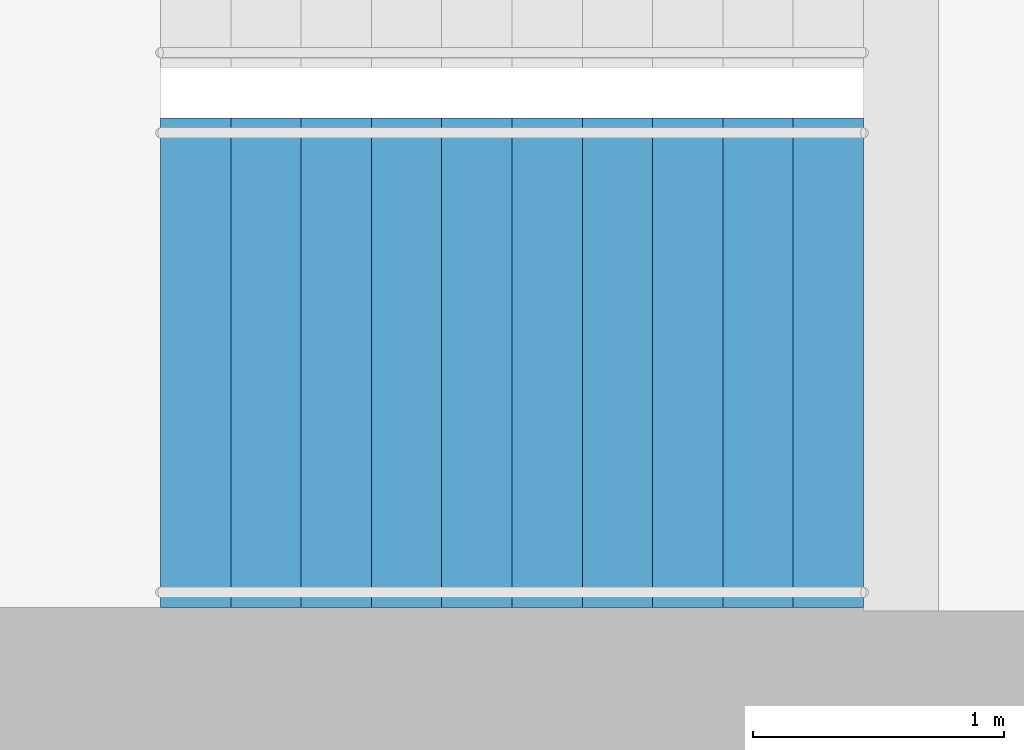
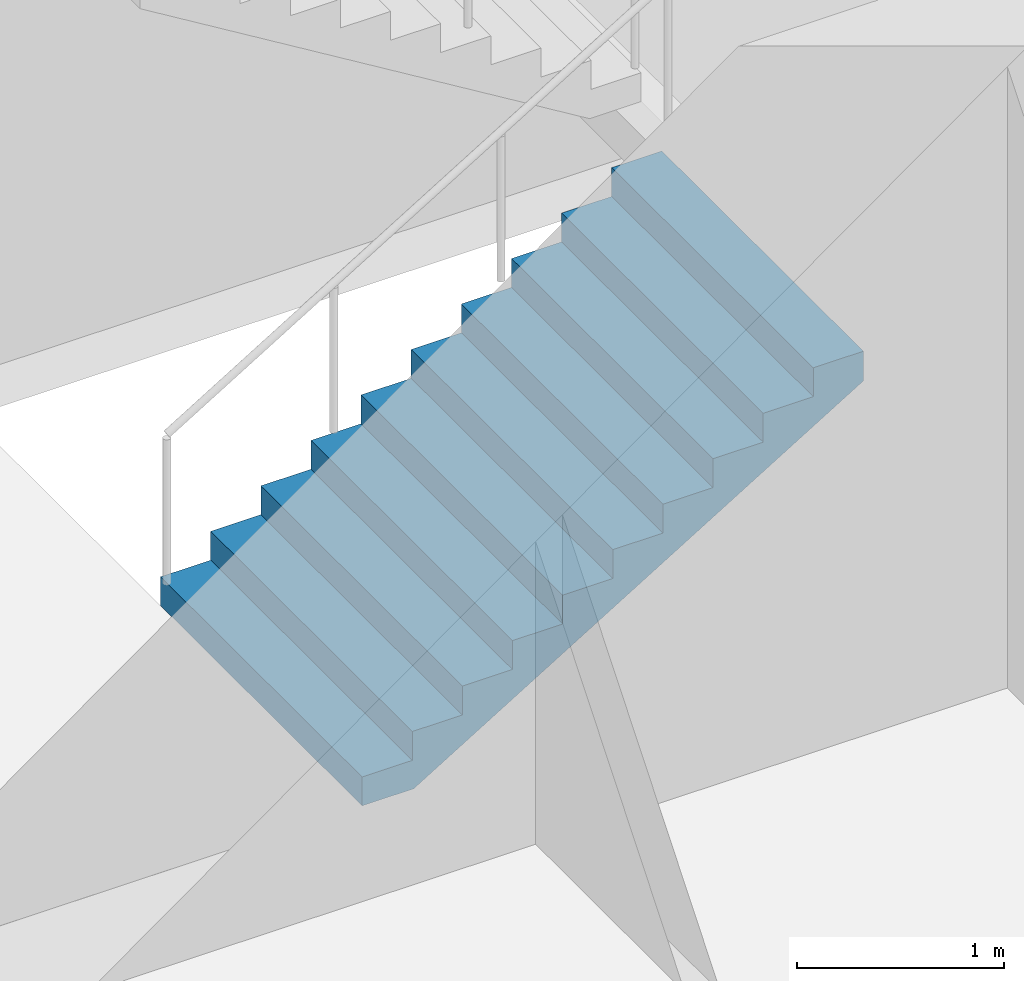
# One storey, part 19 of 23: 1 stair flight, 1 element without a shape of its own.
"""IFC4 building model written with IfcOpenShell, lengths in metres."""

from ifc_helpers import new_model, si_unit, direction, frame, origin, place, context, subcontext, project, spatial, triangles, material, type_object, element, aggregate, save


model = new_model("IFC4")

# Units and contexts
model_context = context("Model", 3, precision=1e-05, world=origin(), true_north=direction((0.0, 1.0)))
body_context = subcontext(model_context, "Body", "Model", "MODEL_VIEW")
ifc_project = project(units=[si_unit("LENGTHUNIT", "METRE"), si_unit("AREAUNIT", "SQUARE_METRE"), si_unit("VOLUMEUNIT", "CUBIC_METRE"), si_unit("PLANEANGLEUNIT", "RADIAN"), si_unit("MASSUNIT", "GRAM", prefix="KILO")], contexts=[model_context])

# Site, building, storey
site_placement = place(None, origin())
site = spatial("IfcSite", under=ifc_project, at=site_placement, CompositionType="ELEMENT")
building_placement = place(site_placement, origin())
building = spatial("IfcBuilding", under=site, at=building_placement, Name="Orbita Commons", CompositionType="ELEMENT")
storey_placement = place(building_placement, frame((0.0, 0.0, 220.300048828125)))
storey = spatial("IfcBuildingStorey", under=building, at=storey_placement, Name="L54", CompositionType="ELEMENT", Elevation=220.300048828125)

# Stair, stair flight
ifc_material_1 = material(Name="Precast concrete C40/50", Category="concrete")
stair_type = type_object("IfcStairType", Name="Exit stair S1 2 flights 11 risers 170", PredefinedType="HALF_TURN_STAIR", material=ifc_material_1)
stair_placement = place(storey_placement, origin())
stair = element("IfcStair", 1, at=stair_placement, inside=storey, type_object=stair_type, Name="Exit stair S1 L54", PredefinedType="HALF_TURN_STAIR")
ifc_material_2 = material(Name="Precast concrete C40/50", Category="concrete")
stair_flight_type = type_object("IfcStairFlightType", Name="Stair flight 11 risers 170 x 280", PredefinedType="STRAIGHT", material=ifc_material_2)
stair_flight_placement = place(storey_placement, frame((20.449951171875, 27.125, 0.0), z_axis=(0.0, 0.0, 1.0), x_axis=(1.0, 0.0, 0.0)))
stair_flight = element("IfcStairFlight", 2, at=stair_flight_placement, type_object=stair_flight_type, Name="S1 flight 1", NumberOfRisers=11, NumberOfTreads=10, PredefinedType="STRAIGHT", RiserHeight=0.170454545, TreadLength=0.28, context=body_context, shape_type="Tessellation", body=[
    triangles([(0.0, 0.974976, 0.0), (0.0, 0.974976, 0.021307), (0.0, 0.81248, 0.021307), (0.0, 0.81248, 0.0), (0.0, 0.649984, 0.021307), (0.0, 0.649984, 0.0), (0.0, 0.487488, 0.021307), (0.0, 0.487488, 0.0), (0.0, 0.324992, 0.021307), (0.0, 0.324992, 0.0), (0.0, 0.162496, 0.021307), (0.0, 0.162496, 0.0), (0.0, 0.0, 0.021307), (0.0, 0.0, 0.0), (0.0, -0.162496, 0.021307), (0.0, -0.162496, 0.0), (0.0, -0.324992, 0.021307), (0.0, -0.324992, 0.0), (0.0, -0.487488, 0.021307), (0.0, -0.487488, 0.0), (0.0, -0.649984, 0.021307), (0.0, -0.649984, 0.0), (0.0, -0.81248, 0.021307), (0.0, -0.81248, 0.0), (0.0, -0.974976, 0.021307), (0.0, -0.974976, 0.0), (0.0, 0.974976, 0.042614), (0.0, 0.81248, 0.042614), (0.0, 0.649984, 0.042614), (0.0, 0.487488, 0.042614), (0.0, 0.324992, 0.042614), (0.0, 0.162496, 0.042614), (0.0, 0.0, 0.042614), (0.0, -0.162496, 0.042614), (0.0, -0.324992, 0.042614), (0.0, -0.487488, 0.042614), (0.0, -0.649984, 0.042614), (0.0, -0.81248, 0.042614), (0.0, -0.974976, 0.042614), (0.0, 0.974976, 0.06392), (0.0, 0.81248, 0.06392), (0.0, 0.649984, 0.06392), (0.0, 0.487488, 0.06392), (0.0, 0.324992, 0.06392), (0.0, 0.162496, 0.06392), (0.0, 0.0, 0.06392), (0.0, -0.162496, 0.06392), (0.0, -0.324992, 0.06392), (0.0, -0.487488, 0.06392), (0.0, -0.649984, 0.06392), (0.0, -0.81248, 0.06392), (0.0, -0.974976, 0.06392), (0.0, 0.974976, 0.085227), (0.0, 0.81248, 0.085227), (0.0, 0.649984, 0.085227), (0.0, 0.487488, 0.085227), (0.0, 0.324992, 0.085227), (0.0, 0.162496, 0.085227), (0.0, 0.0, 0.085227), (0.0, -0.162496, 0.085227), (0.0, -0.324992, 0.085227), (0.0, -0.487488, 0.085227), (0.0, -0.649984, 0.085227), (0.0, -0.81248, 0.085227), (0.0, -0.974976, 0.085227), (0.0, 0.974976, 0.106534), (0.0, 0.81248, 0.106534), (0.0, 0.649984, 0.106534), (0.0, 0.487488, 0.106534), (0.0, 0.324992, 0.106534), (0.0, 0.162496, 0.106534), (0.0, 0.0, 0.106534), (0.0, -0.162496, 0.106534), (0.0, -0.324992, 0.106534), (0.0, -0.487488, 0.106534), (0.0, -0.649984, 0.106534), (0.0, -0.81248, 0.106534), (0.0, -0.974976, 0.106534), (0.0, 0.974976, 0.127841), (0.0, 0.81248, 0.127841), (0.0, 0.649984, 0.127841), (0.0, 0.487488, 0.127841), (0.0, 0.324992, 0.127841), (0.0, 0.162496, 0.127841), (0.0, 0.0, 0.127841), (0.0, -0.162496, 0.127841), (0.0, -0.324992, 0.127841), (0.0, -0.487488, 0.127841), (0.0, -0.649984, 0.127841), (0.0, -0.81248, 0.127841), (0.0, -0.974976, 0.127841), (0.0, 0.974976, 0.149148), (0.0, 0.81248, 0.149148), (0.0, 0.649984, 0.149148), (0.0, 0.487488, 0.149148), (0.0, 0.324992, 0.149148), (0.0, 0.162496, 0.149148), (0.0, 0.0, 0.149148), (0.0, -0.162496, 0.149148), (0.0, -0.324992, 0.149148), (0.0, -0.487488, 0.149148), (0.0, -0.649984, 0.149148), (0.0, -0.81248, 0.149148), (0.0, -0.974976, 0.149148), (0.0, 0.974976, 0.170455), (0.0, 0.81248, 0.170455), (0.0, 0.649984, 0.170455), (0.0, 0.487488, 0.170455), (0.0, 0.324992, 0.170455), (0.0, 0.162496, 0.170455), (0.0, 0.0, 0.170455), (0.0, -0.162496, 0.170455), (0.0, -0.324992, 0.170455), (0.0, -0.487488, 0.170455), (0.0, -0.649984, 0.170455), (0.0, -0.81248, 0.170455), (0.0, -0.974976, 0.170455), (0.28, 0.974976, 0.170455), (0.28, 0.81248, 0.170455), (0.28, 0.649984, 0.170455), (0.28, 0.487488, 0.170455), (0.28, 0.324992, 0.170455), (0.28, 0.162496, 0.170455), (0.28, 0.0, 0.170455), (0.28, -0.162496, 0.170455), (0.28, -0.324992, 0.170455), (0.28, -0.487488, 0.170455), (0.28, -0.649984, 0.170455), (0.28, -0.81248, 0.170455), (0.28, -0.974976, 0.170455), (0.28, 0.974976, 0.340909), (0.28, 0.81248, 0.340909), (0.28, 0.649984, 0.340909), (0.28, 0.487488, 0.340909), (0.28, 0.324992, 0.340909), (0.28, 0.162496, 0.340909), (0.28, 0.0, 0.340909), (0.28, -0.162496, 0.340909), (0.28, -0.324992, 0.340909), (0.28, -0.487488, 0.340909), (0.28, -0.649984, 0.340909), (0.28, -0.81248, 0.340909), (0.28, -0.974976, 0.340909), (0.56, 0.974976, 0.340909), (0.56, 0.81248, 0.340909), (0.56, 0.649984, 0.340909), (0.56, 0.487488, 0.340909), (0.56, 0.324992, 0.340909), (0.56, 0.162496, 0.340909), (0.56, 0.0, 0.340909), (0.56, -0.162496, 0.340909), (0.56, -0.324992, 0.340909), (0.56, -0.487488, 0.340909), (0.56, -0.649984, 0.340909), (0.56, -0.81248, 0.340909), (0.56, -0.974976, 0.340909), (0.56, 0.974976, 0.511364), (0.56, 0.81248, 0.511364), (0.56, 0.649984, 0.511364), (0.56, 0.487488, 0.511364), (0.56, 0.324992, 0.511364), (0.56, 0.162496, 0.511364), (0.56, 0.0, 0.511364), (0.56, -0.162496, 0.511364), (0.56, -0.324992, 0.511364), (0.56, -0.487488, 0.511364), (0.56, -0.649984, 0.511364), (0.56, -0.81248, 0.511364), (0.56, -0.974976, 0.511364), (0.84, 0.974976, 0.511364), (0.84, 0.81248, 0.511364), (0.84, 0.649984, 0.511364), (0.84, 0.487488, 0.511364), (0.84, 0.324992, 0.511364), (0.84, 0.162496, 0.511364), (0.84, 0.0, 0.511364), (0.84, -0.162496, 0.511364), (0.84, -0.324992, 0.511364), (0.84, -0.487488, 0.511364), (0.84, -0.649984, 0.511364), (0.84, -0.81248, 0.511364), (0.84, -0.974976, 0.511364), (0.84, 0.974976, 0.681818), (0.84, 0.81248, 0.681818), (0.84, 0.649984, 0.681818), (0.84, 0.487488, 0.681818), (0.84, 0.324992, 0.681818), (0.84, 0.162496, 0.681818), (0.84, 0.0, 0.681818), (0.84, -0.162496, 0.681818), (0.84, -0.324992, 0.681818), (0.84, -0.487488, 0.681818), (0.84, -0.649984, 0.681818), (0.84, -0.81248, 0.681818), (0.84, -0.974976, 0.681818), (1.12, 0.974976, 0.681818), (1.12, 0.81248, 0.681818), (1.12, 0.649984, 0.681818), (1.12, 0.487488, 0.681818), (1.12, 0.324992, 0.681818), (1.12, 0.162496, 0.681818), (1.12, 0.0, 0.681818), (1.12, -0.162496, 0.681818), (1.12, -0.324992, 0.681818), (1.12, -0.487488, 0.681818), (1.12, -0.649984, 0.681818), (1.12, -0.81248, 0.681818), (1.12, -0.974976, 0.681818), (1.12, 0.974976, 0.852273), (1.12, 0.81248, 0.852273), (1.12, 0.649984, 0.852273), (1.12, 0.487488, 0.852273), (1.12, 0.324992, 0.852273), (1.12, 0.162496, 0.852273), (1.12, 0.0, 0.852273), (1.12, -0.162496, 0.852273), (1.12, -0.324992, 0.852273), (1.12, -0.487488, 0.852273), (1.12, -0.649984, 0.852273), (1.12, -0.81248, 0.852273), (1.12, -0.974976, 0.852273), (1.4, 0.974976, 0.852273), (1.4, 0.81248, 0.852273), (1.4, 0.649984, 0.852273), (1.4, 0.487488, 0.852273), (1.4, 0.324992, 0.852273), (1.4, 0.162496, 0.852273), (1.4, 0.0, 0.852273), (1.4, -0.162496, 0.852273), (1.4, -0.324992, 0.852273), (1.4, -0.487488, 0.852273), (1.4, -0.649984, 0.852273), (1.4, -0.81248, 0.852273), (1.4, -0.974976, 0.852273), (1.4, 0.974976, 1.022727), (1.4, 0.81248, 1.022727), (1.4, 0.649984, 1.022727), (1.4, 0.487488, 1.022727), (1.4, 0.324992, 1.022727), (1.4, 0.162496, 1.022727), (1.4, 0.0, 1.022727), (1.4, -0.162496, 1.022727), (1.4, -0.324992, 1.022727), (1.4, -0.487488, 1.022727), (1.4, -0.649984, 1.022727), (1.4, -0.81248, 1.022727), (1.4, -0.974976, 1.022727), (1.68, 0.974976, 1.022727), (1.68, 0.81248, 1.022727), (1.68, 0.649984, 1.022727), (1.68, 0.487488, 1.022727), (1.68, 0.324992, 1.022727), (1.68, 0.162496, 1.022727), (1.68, 0.0, 1.022727), (1.68, -0.162496, 1.022727), (1.68, -0.324992, 1.022727), (1.68, -0.487488, 1.022727), (1.68, -0.649984, 1.022727), (1.68, -0.81248, 1.022727), (1.68, -0.974976, 1.022727), (1.68, 0.974976, 1.193182), (1.68, 0.81248, 1.193182), (1.68, 0.649984, 1.193182), (1.68, 0.487488, 1.193182), (1.68, 0.324992, 1.193182), (1.68, 0.162496, 1.193182), (1.68, 0.0, 1.193182), (1.68, -0.162496, 1.193182), (1.68, -0.324992, 1.193182), (1.68, -0.487488, 1.193182), (1.68, -0.649984, 1.193182), (1.68, -0.81248, 1.193182), (1.68, -0.974976, 1.193182), (1.96, 0.974976, 1.193182), (1.96, 0.81248, 1.193182), (1.96, 0.649984, 1.193182), (1.96, 0.487488, 1.193182), (1.96, 0.324992, 1.193182), (1.96, 0.162496, 1.193182), (1.96, 0.0, 1.193182), (1.96, -0.162496, 1.193182), (1.96, -0.324992, 1.193182), (1.96, -0.487488, 1.193182), (1.96, -0.649984, 1.193182), (1.96, -0.81248, 1.193182), (1.96, -0.974976, 1.193182), (1.96, 0.974976, 1.363636), (1.96, 0.81248, 1.363636), (1.96, 0.649984, 1.363636), (1.96, 0.487488, 1.363636), (1.96, 0.324992, 1.363636), (1.96, 0.162496, 1.363636), (1.96, 0.0, 1.363636), (1.96, -0.162496, 1.363636), (1.96, -0.324992, 1.363636), (1.96, -0.487488, 1.363636), (1.96, -0.649984, 1.363636), (1.96, -0.81248, 1.363636), (1.96, -0.974976, 1.363636), (2.24, 0.974976, 1.363636), (2.24, 0.81248, 1.363636), (2.24, 0.649984, 1.363636), (2.24, 0.487488, 1.363636), (2.24, 0.324992, 1.363636), (2.24, 0.162496, 1.363636), (2.24, 0.0, 1.363636), (2.24, -0.162496, 1.363636), (2.24, -0.324992, 1.363636), (2.24, -0.487488, 1.363636), (2.24, -0.649984, 1.363636), (2.24, -0.81248, 1.363636), (2.24, -0.974976, 1.363636), (2.24, 0.974976, 1.534091), (2.24, 0.81248, 1.534091), (2.24, 0.649984, 1.534091), (2.24, 0.487488, 1.534091), (2.24, 0.324992, 1.534091), (2.24, 0.162496, 1.534091), (2.24, 0.0, 1.534091), (2.24, -0.162496, 1.534091), (2.24, -0.324992, 1.534091), (2.24, -0.487488, 1.534091), (2.24, -0.649984, 1.534091), (2.24, -0.81248, 1.534091), (2.24, -0.974976, 1.534091), (2.52, 0.974976, 1.534091), (2.52, 0.81248, 1.534091), (2.52, 0.649984, 1.534091), (2.52, 0.487488, 1.534091), (2.52, 0.324992, 1.534091), (2.52, 0.162496, 1.534091), (2.52, 0.0, 1.534091), (2.52, -0.162496, 1.534091), (2.52, -0.324992, 1.534091), (2.52, -0.487488, 1.534091), (2.52, -0.649984, 1.534091), (2.52, -0.81248, 1.534091), (2.52, -0.974976, 1.534091), (2.52, 0.974976, 1.704545), (2.52, 0.81248, 1.704545), (2.52, 0.649984, 1.704545), (2.52, 0.487488, 1.704545), (2.52, 0.324992, 1.704545), (2.52, 0.162496, 1.704545), (2.52, 0.0, 1.704545), (2.52, -0.162496, 1.704545), (2.52, -0.324992, 1.704545), (2.52, -0.487488, 1.704545), (2.52, -0.649984, 1.704545), (2.52, -0.81248, 1.704545), (2.52, -0.974976, 1.704545), (2.8, 0.974976, 1.704545), (2.8, 0.81248, 1.704545), (2.8, 0.649984, 1.704545), (2.8, 0.487488, 1.704545), (2.8, 0.324992, 1.704545), (2.8, 0.162496, 1.704545), (2.8, 0.0, 1.704545), (2.8, -0.162496, 1.704545), (2.8, -0.324992, 1.704545), (2.8, -0.487488, 1.704545), (2.8, -0.649984, 1.704545), (2.8, -0.81248, 1.704545), (2.8, -0.974976, 1.704545), (2.8, 0.974976, 1.682609), (2.8, 0.81248, 1.682609), (2.8, 0.649984, 1.682609), (2.8, 0.487488, 1.682609), (2.8, 0.324992, 1.682609), (2.8, 0.162496, 1.682609), (2.8, 0.0, 1.682609), (2.8, -0.162496, 1.682609), (2.8, -0.324992, 1.682609), (2.8, -0.487488, 1.682609), (2.8, -0.649984, 1.682609), (2.8, -0.81248, 1.682609), (2.8, -0.974976, 1.682609), (2.8, 0.974976, 1.660672), (2.8, 0.81248, 1.660672), (2.8, 0.649984, 1.660672), (2.8, 0.487488, 1.660672), (2.8, 0.324992, 1.660672), (2.8, 0.162496, 1.660672), (2.8, 0.0, 1.660672), (2.8, -0.162496, 1.660672), (2.8, -0.324992, 1.660672), (2.8, -0.487488, 1.660672), (2.8, -0.649984, 1.660672), (2.8, -0.81248, 1.660672), (2.8, -0.974976, 1.660672), (2.8, 0.974976, 1.638735), (2.8, 0.81248, 1.638735), (2.8, 0.649984, 1.638735), (2.8, 0.487488, 1.638735), (2.8, 0.324992, 1.638735), (2.8, 0.162496, 1.638735), (2.8, 0.0, 1.638735), (2.8, -0.162496, 1.638735), (2.8, -0.324992, 1.638735), (2.8, -0.487488, 1.638735), (2.8, -0.649984, 1.638735), (2.8, -0.81248, 1.638735), (2.8, -0.974976, 1.638735), (2.8, 0.974976, 1.616798), (2.8, 0.81248, 1.616798), (2.8, 0.649984, 1.616798), (2.8, 0.487488, 1.616798), (2.8, 0.324992, 1.616798), (2.8, 0.162496, 1.616798), (2.8, 0.0, 1.616798), (2.8, -0.162496, 1.616798), (2.8, -0.324992, 1.616798), (2.8, -0.487488, 1.616798), (2.8, -0.649984, 1.616798), (2.8, -0.81248, 1.616798), (2.8, -0.974976, 1.616798), (2.8, 0.974976, 1.594861), (2.8, 0.81248, 1.594861), (2.8, 0.649984, 1.594861), (2.8, 0.487488, 1.594861), (2.8, 0.324992, 1.594861), (2.8, 0.162496, 1.594861), (2.8, 0.0, 1.594861), (2.8, -0.162496, 1.594861), (2.8, -0.324992, 1.594861), (2.8, -0.487488, 1.594861), (2.8, -0.649984, 1.594861), (2.8, -0.81248, 1.594861), (2.8, -0.974976, 1.594861), (2.8, 0.974976, 1.572925), (2.8, 0.81248, 1.572925), (2.8, 0.649984, 1.572925), (2.8, 0.487488, 1.572925), (2.8, 0.324992, 1.572925), (2.8, 0.162496, 1.572925), (2.8, 0.0, 1.572925), (2.8, -0.162496, 1.572925), (2.8, -0.324992, 1.572925), (2.8, -0.487488, 1.572925), (2.8, -0.649984, 1.572925), (2.8, -0.81248, 1.572925), (2.8, -0.974976, 1.572925), (2.8, 0.974976, 1.550988), (2.8, 0.81248, 1.550988), (2.8, 0.649984, 1.550988), (2.8, 0.487488, 1.550988), (2.8, 0.324992, 1.550988), (2.8, 0.162496, 1.550988), (2.8, 0.0, 1.550988), (2.8, -0.162496, 1.550988), (2.8, -0.324992, 1.550988), (2.8, -0.487488, 1.550988), (2.8, -0.649984, 1.550988), (2.8, -0.81248, 1.550988), (2.8, -0.974976, 1.550988), (2.8, 0.974976, 1.529051), (2.8, 0.81248, 1.529051), (2.8, 0.649984, 1.529051), (2.8, 0.487488, 1.529051), (2.8, 0.324992, 1.529051), (2.8, 0.162496, 1.529051), (2.8, 0.0, 1.529051), (2.8, -0.162496, 1.529051), (2.8, -0.324992, 1.529051), (2.8, -0.487488, 1.529051), (2.8, -0.649984, 1.529051), (2.8, -0.81248, 1.529051), (2.8, -0.974976, 1.529051), (0.288279, 0.974976, 0.0), (0.288279, 0.81248, 0.0), (0.288279, 0.649984, 0.0), (0.288279, 0.487488, 0.0), (0.288279, 0.324992, 0.0), (0.288279, 0.162496, 0.0), (0.288279, 0.0, 0.0), (0.288279, -0.162496, 0.0), (0.288279, -0.324992, 0.0), (0.288279, -0.487488, 0.0), (0.288279, -0.649984, 0.0), (0.288279, -0.81248, 0.0), (0.288279, -0.974976, 0.0)], [[3, 2, 1], [4, 3, 1], [5, 3, 4], [6, 5, 4], [7, 5, 6], [8, 7, 6], [9, 7, 8], [10, 9, 8], [11, 9, 10], [12, 11, 10], [13, 11, 12], [14, 13, 12], [15, 13, 14], [16, 15, 14], [17, 15, 16], [18, 17, 16], [19, 17, 18], [20, 19, 18], [21, 19, 20], [22, 21, 20], [23, 21, 22], [24, 23, 22], [25, 23, 24], [26, 25, 24], [28, 27, 2], [3, 28, 2], [29, 28, 3], [5, 29, 3], [30, 29, 5], [7, 30, 5], [31, 30, 7], [9, 31, 7], [32, 31, 9], [11, 32, 9], [33, 32, 11], [13, 33, 11], [34, 33, 13], [15, 34, 13], [35, 34, 15], [17, 35, 15], [36, 35, 17], [19, 36, 17], [37, 36, 19], [21, 37, 19], [38, 37, 21], [23, 38, 21], [39, 38, 23], [25, 39, 23], [41, 40, 27], [28, 41, 27], [42, 41, 28], [29, 42, 28], [43, 42, 29], [30, 43, 29], [44, 43, 30], [31, 44, 30], [45, 44, 31], [32, 45, 31], [46, 45, 32], [33, 46, 32], [47, 46, 33], [34, 47, 33], [48, 47, 34], [35, 48, 34], [49, 48, 35], [36, 49, 35], [50, 49, 36], [37, 50, 36], [51, 50, 37], [38, 51, 37], [52, 51, 38], [39, 52, 38], [54, 53, 40], [41, 54, 40], [55, 54, 41], [42, 55, 41], [56, 55, 42], [43, 56, 42], [57, 56, 43], [44, 57, 43], [58, 57, 44], [45, 58, 44], [59, 58, 45], [46, 59, 45], [60, 59, 46], [47, 60, 46], [61, 60, 47], [48, 61, 47], [62, 61, 48], [49, 62, 48], [63, 62, 49], [50, 63, 49], [64, 63, 50], [51, 64, 50], [65, 64, 51], [52, 65, 51], [67, 66, 53], [54, 67, 53], [68, 67, 54], [55, 68, 54], [69, 68, 55], [56, 69, 55], [70, 69, 56], [57, 70, 56], [71, 70, 57], [58, 71, 57], [72, 71, 58], [59, 72, 58], [73, 72, 59], [60, 73, 59], [74, 73, 60], [61, 74, 60], [75, 74, 61], [62, 75, 61], [76, 75, 62], [63, 76, 62], [77, 76, 63], [64, 77, 63], [78, 77, 64], [65, 78, 64], [80, 79, 66], [67, 80, 66], [81, 80, 67], [68, 81, 67], [82, 81, 68], [69, 82, 68], [83, 82, 69], [70, 83, 69], [84, 83, 70], [71, 84, 70], [85, 84, 71], [72, 85, 71], [86, 85, 72], [73, 86, 72], [87, 86, 73], [74, 87, 73], [88, 87, 74], [75, 88, 74], [89, 88, 75], [76, 89, 75], [90, 89, 76], [77, 90, 76], [91, 90, 77], [78, 91, 77], [93, 92, 79], [80, 93, 79], [94, 93, 80], [81, 94, 80], [95, 94, 81], [82, 95, 81], [96, 95, 82], [83, 96, 82], [97, 96, 83], [84, 97, 83], [98, 97, 84], [85, 98, 84], [99, 98, 85], [86, 99, 85], [100, 99, 86], [87, 100, 86], [101, 100, 87], [88, 101, 87], [102, 101, 88], [89, 102, 88], [103, 102, 89], [90, 103, 89], [104, 103, 90], [91, 104, 90], [106, 105, 92], [93, 106, 92], [107, 106, 93], [94, 107, 93], [108, 107, 94], [95, 108, 94], [109, 108, 95], [96, 109, 95], [110, 109, 96], [97, 110, 96], [111, 110, 97], [98, 111, 97], [112, 111, 98], [99, 112, 98], [113, 112, 99], [100, 113, 99], [114, 113, 100], [101, 114, 100], [115, 114, 101], [102, 115, 101], [116, 115, 102], [103, 116, 102], [117, 116, 103], [104, 117, 103], [119, 118, 105], [106, 119, 105], [120, 119, 106], [107, 120, 106], [121, 120, 107], [108, 121, 107], [122, 121, 108], [109, 122, 108], [123, 122, 109], [110, 123, 109], [124, 123, 110], [111, 124, 110], [125, 124, 111], [112, 125, 111], [126, 125, 112], [113, 126, 112], [127, 126, 113], [114, 127, 113], [128, 127, 114], [115, 128, 114], [129, 128, 115], [116, 129, 115], [130, 129, 116], [117, 130, 116], [132, 131, 118], [119, 132, 118], [133, 132, 119], [120, 133, 119], [134, 133, 120], [121, 134, 120], [135, 134, 121], [122, 135, 121], [136, 135, 122], [123, 136, 122], [137, 136, 123], [124, 137, 123], [138, 137, 124], [125, 138, 124], [139, 138, 125], [126, 139, 125], [140, 139, 126], [127, 140, 126], [141, 140, 127], [128, 141, 127], [142, 141, 128], [129, 142, 128], [143, 142, 129], [130, 143, 129], [145, 144, 131], [132, 145, 131], [146, 145, 132], [133, 146, 132], [147, 146, 133], [134, 147, 133], [148, 147, 134], [135, 148, 134], [149, 148, 135], [136, 149, 135], [150, 149, 136], [137, 150, 136], [151, 150, 137], [138, 151, 137], [152, 151, 138], [139, 152, 138], [153, 152, 139], [140, 153, 139], [154, 153, 140], [141, 154, 140], [155, 154, 141], [142, 155, 141], [156, 155, 142], [143, 156, 142], [158, 157, 144], [145, 158, 144], [159, 158, 145], [146, 159, 145], [160, 159, 146], [147, 160, 146], [161, 160, 147], [148, 161, 147], [162, 161, 148], [149, 162, 148], [163, 162, 149], [150, 163, 149], [164, 163, 150], [151, 164, 150], [165, 164, 151], [152, 165, 151], [166, 165, 152], [153, 166, 152], [167, 166, 153], [154, 167, 153], [168, 167, 154], [155, 168, 154], [169, 168, 155], [156, 169, 155], [171, 170, 157], [158, 171, 157], [172, 171, 158], [159, 172, 158], [173, 172, 159], [160, 173, 159], [174, 173, 160], [161, 174, 160], [175, 174, 161], [162, 175, 161], [176, 175, 162], [163, 176, 162], [177, 176, 163], [164, 177, 163], [178, 177, 164], [165, 178, 164], [179, 178, 165], [166, 179, 165], [180, 179, 166], [167, 180, 166], [181, 180, 167], [168, 181, 167], [182, 181, 168], [169, 182, 168], [184, 183, 170], [171, 184, 170], [185, 184, 171], [172, 185, 171], [186, 185, 172], [173, 186, 172], [187, 186, 173], [174, 187, 173], [188, 187, 174], [175, 188, 174], [189, 188, 175], [176, 189, 175], [190, 189, 176], [177, 190, 176], [191, 190, 177], [178, 191, 177], [192, 191, 178], [179, 192, 178], [193, 192, 179], [180, 193, 179], [194, 193, 180], [181, 194, 180], [195, 194, 181], [182, 195, 181], [197, 196, 183], [184, 197, 183], [198, 197, 184], [185, 198, 184], [199, 198, 185], [186, 199, 185], [200, 199, 186], [187, 200, 186], [201, 200, 187], [188, 201, 187], [202, 201, 188], [189, 202, 188], [203, 202, 189], [190, 203, 189], [204, 203, 190], [191, 204, 190], [205, 204, 191], [192, 205, 191], [206, 205, 192], [193, 206, 192], [207, 206, 193], [194, 207, 193], [208, 207, 194], [195, 208, 194], [210, 209, 196], [197, 210, 196], [211, 210, 197], [198, 211, 197], [212, 211, 198], [199, 212, 198], [213, 212, 199], [200, 213, 199], [214, 213, 200], [201, 214, 200], [215, 214, 201], [202, 215, 201], [216, 215, 202], [203, 216, 202], [217, 216, 203], [204, 217, 203], [218, 217, 204], [205, 218, 204], [219, 218, 205], [206, 219, 205], [220, 219, 206], [207, 220, 206], [221, 220, 207], [208, 221, 207], [223, 222, 209], [210, 223, 209], [224, 223, 210], [211, 224, 210], [225, 224, 211], [212, 225, 211], [226, 225, 212], [213, 226, 212], [227, 226, 213], [214, 227, 213], [228, 227, 214], [215, 228, 214], [229, 228, 215], [216, 229, 215], [230, 229, 216], [217, 230, 216], [231, 230, 217], [218, 231, 217], [232, 231, 218], [219, 232, 218], [233, 232, 219], [220, 233, 219], [234, 233, 220], [221, 234, 220], [236, 235, 222], [223, 236, 222], [237, 236, 223], [224, 237, 223], [238, 237, 224], [225, 238, 224], [239, 238, 225], [226, 239, 225], [240, 239, 226], [227, 240, 226], [241, 240, 227], [228, 241, 227], [242, 241, 228], [229, 242, 228], [243, 242, 229], [230, 243, 229], [244, 243, 230], [231, 244, 230], [245, 244, 231], [232, 245, 231], [246, 245, 232], [233, 246, 232], [247, 246, 233], [234, 247, 233], [249, 248, 235], [236, 249, 235], [250, 249, 236], [237, 250, 236], [251, 250, 237], [238, 251, 237], [252, 251, 238], [239, 252, 238], [253, 252, 239], [240, 253, 239], [254, 253, 240], [241, 254, 240], [255, 254, 241], [242, 255, 241], [256, 255, 242], [243, 256, 242], [257, 256, 243], [244, 257, 243], [258, 257, 244], [245, 258, 244], [259, 258, 245], [246, 259, 245], [260, 259, 246], [247, 260, 246], [262, 261, 248], [249, 262, 248], [263, 262, 249], [250, 263, 249], [264, 263, 250], [251, 264, 250], [265, 264, 251], [252, 265, 251], [266, 265, 252], [253, 266, 252], [267, 266, 253], [254, 267, 253], [268, 267, 254], [255, 268, 254], [269, 268, 255], [256, 269, 255], [270, 269, 256], [257, 270, 256], [271, 270, 257], [258, 271, 257], [272, 271, 258], [259, 272, 258], [273, 272, 259], [260, 273, 259], [275, 274, 261], [262, 275, 261], [276, 275, 262], [263, 276, 262], [277, 276, 263], [264, 277, 263], [278, 277, 264], [265, 278, 264], [279, 278, 265], [266, 279, 265], [280, 279, 266], [267, 280, 266], [281, 280, 267], [268, 281, 267], [282, 281, 268], [269, 282, 268], [283, 282, 269], [270, 283, 269], [284, 283, 270], [271, 284, 270], [285, 284, 271], [272, 285, 271], [286, 285, 272], [273, 286, 272], [288, 287, 274], [275, 288, 274], [289, 288, 275], [276, 289, 275], [290, 289, 276], [277, 290, 276], [291, 290, 277], [278, 291, 277], [292, 291, 278], [279, 292, 278], [293, 292, 279], [280, 293, 279], [294, 293, 280], [281, 294, 280], [295, 294, 281], [282, 295, 281], [296, 295, 282], [283, 296, 282], [297, 296, 283], [284, 297, 283], [298, 297, 284], [285, 298, 284], [299, 298, 285], [286, 299, 285], [301, 300, 287], [288, 301, 287], [302, 301, 288], [289, 302, 288], [303, 302, 289], [290, 303, 289], [304, 303, 290], [291, 304, 290], [305, 304, 291], [292, 305, 291], [306, 305, 292], [293, 306, 292], [307, 306, 293], [294, 307, 293], [308, 307, 294], [295, 308, 294], [309, 308, 295], [296, 309, 295], [310, 309, 296], [297, 310, 296], [311, 310, 297], [298, 311, 297], [312, 311, 298], [299, 312, 298], [314, 313, 300], [301, 314, 300], [315, 314, 301], [302, 315, 301], [316, 315, 302], [303, 316, 302], [317, 316, 303], [304, 317, 303], [318, 317, 304], [305, 318, 304], [319, 318, 305], [306, 319, 305], [320, 319, 306], [307, 320, 306], [321, 320, 307], [308, 321, 307], [322, 321, 308], [309, 322, 308], [323, 322, 309], [310, 323, 309], [324, 323, 310], [311, 324, 310], [325, 324, 311], [312, 325, 311], [327, 326, 313], [314, 327, 313], [328, 327, 314], [315, 328, 314], [329, 328, 315], [316, 329, 315], [330, 329, 316], [317, 330, 316], [331, 330, 317], [318, 331, 317], [332, 331, 318], [319, 332, 318], [333, 332, 319], [320, 333, 319], [334, 333, 320], [321, 334, 320], [335, 334, 321], [322, 335, 321], [336, 335, 322], [323, 336, 322], [337, 336, 323], [324, 337, 323], [338, 337, 324], [325, 338, 324], [340, 339, 326], [327, 340, 326], [341, 340, 327], [328, 341, 327], [342, 341, 328], [329, 342, 328], [343, 342, 329], [330, 343, 329], [344, 343, 330], [331, 344, 330], [345, 344, 331], [332, 345, 331], [346, 345, 332], [333, 346, 332], [347, 346, 333], [334, 347, 333], [348, 347, 334], [335, 348, 334], [349, 348, 335], [336, 349, 335], [350, 349, 336], [337, 350, 336], [351, 350, 337], [338, 351, 337], [353, 352, 339], [340, 353, 339], [354, 353, 340], [341, 354, 340], [355, 354, 341], [342, 355, 341], [356, 355, 342], [343, 356, 342], [357, 356, 343], [344, 357, 343], [358, 357, 344], [345, 358, 344], [359, 358, 345], [346, 359, 345], [360, 359, 346], [347, 360, 346], [361, 360, 347], [348, 361, 347], [362, 361, 348], [349, 362, 348], [363, 362, 349], [350, 363, 349], [364, 363, 350], [351, 364, 350], [366, 365, 352], [353, 366, 352], [367, 366, 353], [354, 367, 353], [368, 367, 354], [355, 368, 354], [369, 368, 355], [356, 369, 355], [370, 369, 356], [357, 370, 356], [371, 370, 357], [358, 371, 357], [372, 371, 358], [359, 372, 358], [373, 372, 359], [360, 373, 359], [374, 373, 360], [361, 374, 360], [375, 374, 361], [362, 375, 361], [376, 375, 362], [363, 376, 362], [377, 376, 363], [364, 377, 363], [379, 378, 365], [366, 379, 365], [380, 379, 366], [367, 380, 366], [381, 380, 367], [368, 381, 367], [382, 381, 368], [369, 382, 368], [383, 382, 369], [370, 383, 369], [384, 383, 370], [371, 384, 370], [385, 384, 371], [372, 385, 371], [386, 385, 372], [373, 386, 372], [387, 386, 373], [374, 387, 373], [388, 387, 374], [375, 388, 374], [389, 388, 375], [376, 389, 375], [390, 389, 376], [377, 390, 376], [392, 391, 378], [379, 392, 378], [393, 392, 379], [380, 393, 379], [394, 393, 380], [381, 394, 380], [395, 394, 381], [382, 395, 381], [396, 395, 382], [383, 396, 382], [397, 396, 383], [384, 397, 383], [398, 397, 384], [385, 398, 384], [399, 398, 385], [386, 399, 385], [400, 399, 386], [387, 400, 386], [401, 400, 387], [388, 401, 387], [402, 401, 388], [389, 402, 388], [403, 402, 389], [390, 403, 389], [405, 404, 391], [392, 405, 391], [406, 405, 392], [393, 406, 392], [407, 406, 393], [394, 407, 393], [408, 407, 394], [395, 408, 394], [409, 408, 395], [396, 409, 395], [410, 409, 396], [397, 410, 396], [411, 410, 397], [398, 411, 397], [412, 411, 398], [399, 412, 398], [413, 412, 399], [400, 413, 399], [414, 413, 400], [401, 414, 400], [415, 414, 401], [402, 415, 401], [416, 415, 402], [403, 416, 402], [418, 417, 404], [405, 418, 404], [419, 418, 405], [406, 419, 405], [420, 419, 406], [407, 420, 406], [421, 420, 407], [408, 421, 407], [422, 421, 408], [409, 422, 408], [423, 422, 409], [410, 423, 409], [424, 423, 410], [411, 424, 410], [425, 424, 411], [412, 425, 411], [426, 425, 412], [413, 426, 412], [427, 426, 413], [414, 427, 413], [428, 427, 414], [415, 428, 414], [429, 428, 415], [416, 429, 415], [431, 430, 417], [418, 431, 417], [432, 431, 418], [419, 432, 418], [433, 432, 419], [420, 433, 419], [434, 433, 420], [421, 434, 420], [435, 434, 421], [422, 435, 421], [436, 435, 422], [423, 436, 422], [437, 436, 423], [424, 437, 423], [438, 437, 424], [425, 438, 424], [439, 438, 425], [426, 439, 425], [440, 439, 426], [427, 440, 426], [441, 440, 427], [428, 441, 427], [442, 441, 428], [429, 442, 428], [444, 443, 430], [431, 444, 430], [445, 444, 431], [432, 445, 431], [446, 445, 432], [433, 446, 432], [447, 446, 433], [434, 447, 433], [448, 447, 434], [435, 448, 434], [449, 448, 435], [436, 449, 435], [450, 449, 436], [437, 450, 436], [451, 450, 437], [438, 451, 437], [452, 451, 438], [439, 452, 438], [453, 452, 439], [440, 453, 439], [454, 453, 440], [441, 454, 440], [455, 454, 441], [442, 455, 441], [457, 456, 443], [444, 457, 443], [458, 457, 444], [445, 458, 444], [459, 458, 445], [446, 459, 445], [460, 459, 446], [447, 460, 446], [461, 460, 447], [448, 461, 447], [462, 461, 448], [449, 462, 448], [463, 462, 449], [450, 463, 449], [464, 463, 450], [451, 464, 450], [465, 464, 451], [452, 465, 451], [466, 465, 452], [453, 466, 452], [467, 466, 453], [454, 467, 453], [468, 467, 454], [455, 468, 454], [470, 469, 456], [457, 470, 456], [471, 470, 457], [458, 471, 457], [472, 471, 458], [459, 472, 458], [473, 472, 459], [460, 473, 459], [474, 473, 460], [461, 474, 460], [475, 474, 461], [462, 475, 461], [476, 475, 462], [463, 476, 462], [477, 476, 463], [464, 477, 463], [478, 477, 464], [465, 478, 464], [479, 478, 465], [466, 479, 465], [480, 479, 466], [467, 480, 466], [481, 480, 467], [468, 481, 467], [4, 1, 469], [470, 4, 469], [6, 4, 470], [471, 6, 470], [8, 6, 471], [472, 8, 471], [10, 8, 472], [473, 10, 472], [12, 10, 473], [474, 12, 473], [14, 12, 474], [475, 14, 474], [16, 14, 475], [476, 16, 475], [18, 16, 476], [477, 18, 476], [20, 18, 477], [478, 20, 477], [22, 20, 478], [479, 22, 478], [24, 22, 479], [480, 24, 479], [26, 24, 480], [481, 26, 480], [456, 469, 1], [26, 481, 468], [443, 456, 1], [26, 468, 455], [430, 443, 1], [26, 455, 442], [417, 430, 1], [26, 442, 429], [404, 417, 1], [26, 429, 416], [391, 404, 1], [26, 416, 403], [378, 391, 1], [26, 403, 390], [365, 378, 1], [26, 390, 377], [339, 352, 365], [377, 364, 351], [326, 339, 365], [377, 351, 338], [300, 313, 326], [338, 325, 312], [300, 326, 365], [377, 338, 312], [274, 287, 300], [312, 299, 286], [274, 300, 365], [377, 312, 286], [248, 261, 274], [286, 273, 260], [248, 274, 365], [377, 286, 260], [222, 235, 248], [260, 247, 234], [222, 248, 365], [377, 260, 234], [196, 209, 222], [234, 221, 208], [196, 222, 365], [377, 234, 208], [170, 183, 196], [208, 195, 182], [170, 196, 365], [377, 208, 182], [144, 157, 170], [182, 169, 156], [144, 170, 365], [377, 182, 156], [118, 131, 144], [156, 143, 130], [118, 144, 365], [377, 156, 130], [118, 365, 1], [26, 377, 130], [92, 105, 118], [130, 117, 104], [79, 92, 118], [130, 104, 91], [66, 79, 118], [130, 91, 78], [53, 66, 118], [130, 78, 65], [40, 53, 118], [130, 65, 52], [27, 40, 118], [130, 52, 39], [2, 27, 118], [130, 39, 25], [1, 2, 118], [130, 25, 26]], closed=True),
])
aggregate(stair, [stair_flight])

save(model, "model.ifc")
